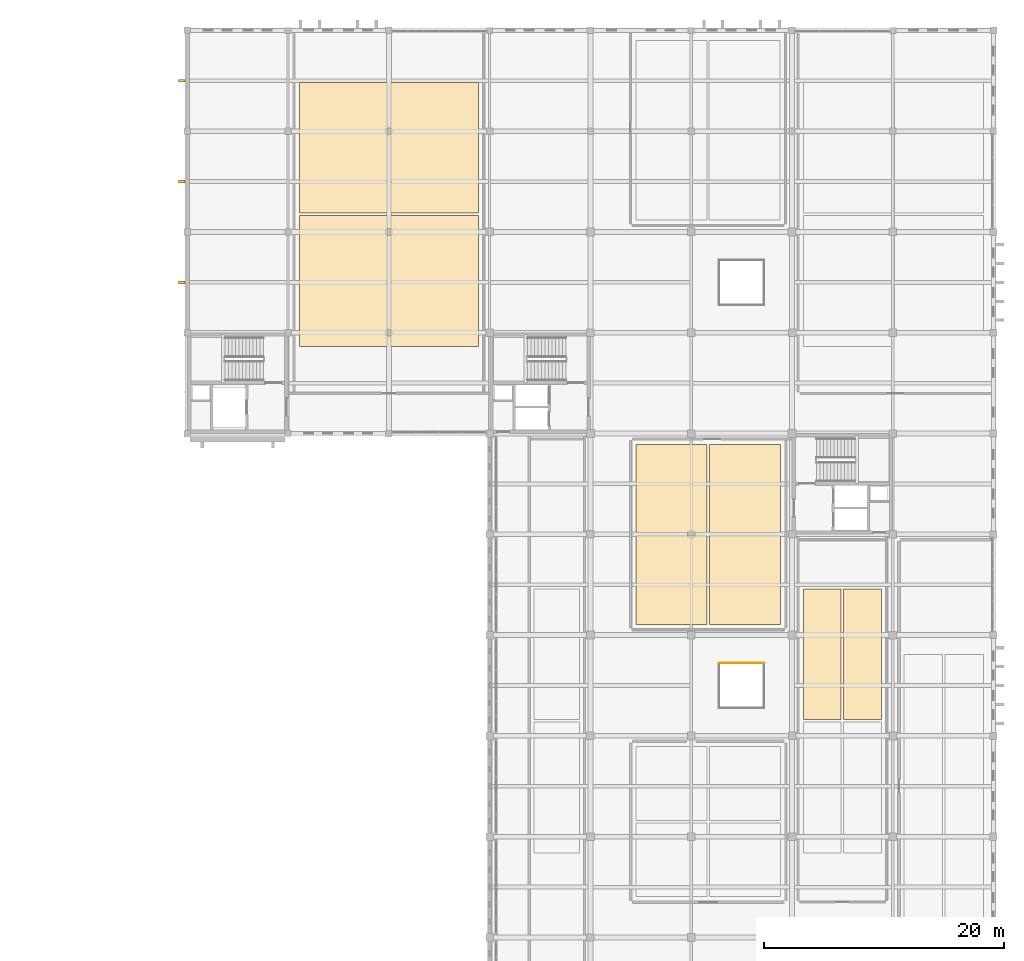
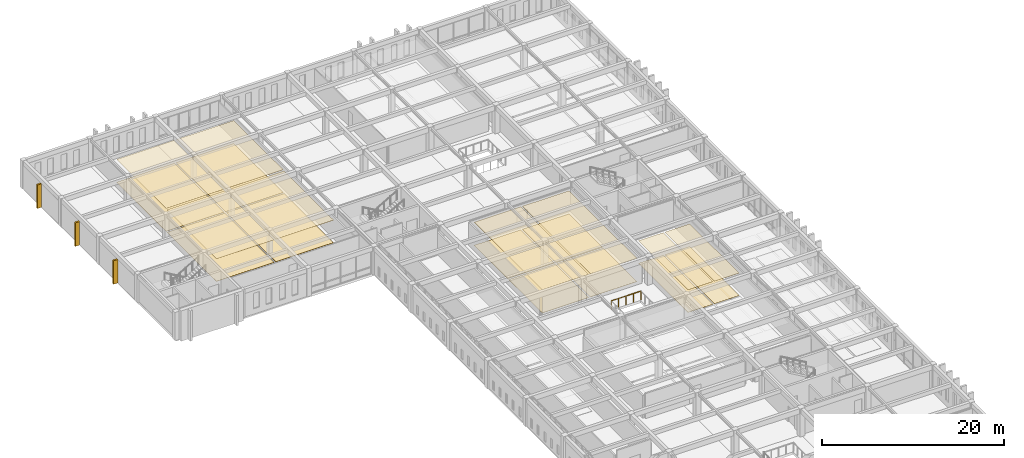
# One storey, part 46 of 47: 20 coverings, 3 shading devices, 1 railing.
"""IFC4 building model written with IfcOpenShell, lengths in metres."""

import ifcopenshell
import ifcopenshell.guid

model = None  # the IFC model being written
_history = None  # IfcOwnerHistory: only IFC2X3 demands one
_inside = {}  # id of a spatial element -> (the spatial element, [elements in it])
_under = {}  # id of a project, library or spatial element -> (it, [spatial elements below it])
_declared = {}  # id of a project -> (the project, [libraries it declares])
_typed = {}  # id of a type object -> (the type object, [elements of that type])
_made_of = {}  # id of a material, layer set ... -> (it, [elements and type objects made of it])


def new_model(schema):
    """Start an empty IFC model of exactly this schema.

    Asked for "IFC4X3", IfcOpenShell would pick the latest addendum, in which some entities
    have other attributes; the version numbers below select the first issue.
    IFC2X3 requires an IfcOwnerHistory on every rooted entity: one is made here for all.
    """
    global model, _history
    if schema == "IFC4X3":
        model = ifcopenshell.file(schema_version=(4, 3, 0, 0))
    else:
        model = ifcopenshell.file(schema=schema)
    _inside.clear()
    _under.clear()
    _declared.clear()
    _typed.clear()
    _made_of.clear()
    _history = None
    if model.schema == "IFC2X3":
        org = make("IfcOrganization", Name="unknown")
        user = make(
            "IfcPersonAndOrganization",
            ThePerson=make("IfcPerson", FamilyName="unknown"),
            TheOrganization=org,
        )
        app = make(
            "IfcApplication",
            ApplicationDeveloper=org,
            Version="unknown",
            ApplicationFullName="unknown",
            ApplicationIdentifier="unknown",
        )
        _history = make(
            "IfcOwnerHistory",
            OwningUser=user,
            OwningApplication=app,
            ChangeAction="ADDED",
            CreationDate=0,
        )
    return model


def make(cls, **values):
    """One entity of the class cls with the attributes given. An attribute that is None is left unset."""
    return model.create_entity(
        cls, **{name: value for name, value in values.items() if value is not None}
    )


def rooted(cls, **values):
    """An entity with a GlobalId (a new one), such as an element, a storey or a relation."""
    return make(cls, GlobalId=ifcopenshell.guid.new(), OwnerHistory=_history, **values)


def si_unit(unit_type, name, prefix=None):
    """IfcSIUnit, for example si_unit("LENGTHUNIT", "METRE", prefix="MILLI")."""
    return make("IfcSIUnit", UnitType=unit_type, Prefix=prefix, Name=name)


def assignment(units):
    """IfcUnitAssignment: the units of a project."""
    return None if units is None else make("IfcUnitAssignment", Units=units)


def point(xyz):
    """IfcCartesianPoint."""
    return None if xyz is None else make("IfcCartesianPoint", Coordinates=xyz)


def direction(xyz):
    """IfcDirection."""
    return None if xyz is None else make("IfcDirection", DirectionRatios=xyz)


def frame(location, z_axis=None, x_axis=None):
    """IfcAxis2Placement3D, a coordinate frame: its origin and axes. An axis left out is left unset."""
    return make(
        "IfcAxis2Placement3D",
        Location=point(location),
        Axis=direction(z_axis),
        RefDirection=direction(x_axis),
    )


def frame_2d(location, x_axis=None):
    """IfcAxis2Placement2D, a coordinate frame in the plane: its origin and x axis."""
    return make(
        "IfcAxis2Placement2D", Location=point(location), RefDirection=direction(x_axis)
    )


def origin():
    """The frame at (0, 0, 0) with its axes left unset."""
    return frame((0.0, 0.0, 0.0))


def origin_2d():
    """The frame at (0, 0) in the plane with its x axis left unset."""
    return frame_2d((0.0, 0.0))


def place(relative_to, where):
    """IfcLocalPlacement: puts the frame where relative to a parent placement (None: the world)."""
    return make(
        "IfcLocalPlacement", PlacementRelTo=relative_to, RelativePlacement=where
    )


def context(
    kind, dimensions, precision=None, world=None, true_north=None, identifier=None
):
    """IfcGeometricRepresentationContext, for example the 3D "Model" context."""
    return make(
        "IfcGeometricRepresentationContext",
        ContextIdentifier=identifier,
        ContextType=kind,
        CoordinateSpaceDimension=dimensions,
        Precision=precision,
        WorldCoordinateSystem=world,
        TrueNorth=true_north,
    )


def subcontext(parent, identifier, kind, view, scale=None):
    """IfcGeometricRepresentationSubContext, for example "Body" below "Model"."""
    return make(
        "IfcGeometricRepresentationSubContext",
        ContextIdentifier=identifier,
        ContextType=kind,
        ParentContext=parent,
        TargetScale=scale,
        TargetView=view,
    )


def project(units=None, contexts=None):
    """IfcProject with its units and contexts."""
    return rooted(
        "IfcProject",
        Name="project",
        RepresentationContexts=contexts,
        UnitsInContext=assignment(units),
    )


def spatial(cls, under=None, at=None, **own):
    """A site, building, storey or space (cls), placed at a placement, below another one or the project."""
    s = rooted(cls, ObjectPlacement=at, **own)
    if under is not None:
        _under.setdefault(under.id(), (under, []))[1].append(s)
    return s


def profile(cls, at=None, kind="AREA", **sizes):
    """A parametric profile (cls). Its sizes go by their IFC names, for example OverallWidth=200.0."""
    return make(cls, ProfileType=kind, Position=at, **sizes)


def rectangle(**sizes):
    """IfcRectangleProfileDef."""
    return profile("IfcRectangleProfileDef", **sizes)


def circle(**sizes):
    """IfcCircleProfileDef."""
    return profile("IfcCircleProfileDef", **sizes)


def extrude(swept, where, along, depth):
    """IfcExtrudedAreaSolid: the profile swept, set in the frame where, extruded along a direction by depth."""
    return make(
        "IfcExtrudedAreaSolid",
        SweptArea=swept,
        Position=where,
        ExtrudedDirection=direction(along),
        Depth=depth,
    )


def shape(context_of_items, identifier, shape_type, items):
    """IfcShapeRepresentation: the items that make up one representation, for example the "Body"."""
    return make(
        "IfcShapeRepresentation",
        ContextOfItems=context_of_items,
        RepresentationIdentifier=identifier,
        RepresentationType=shape_type,
        Items=items,
    )


def material(Name=None, Category=None):
    """IfcMaterial."""
    return make("IfcMaterial", Name=Name, Category=Category)


def layer(
    of_material, thickness, ventilated=None, Name=None, Category=None, Priority=None
):
    """IfcMaterialLayer: one layer of a wall or slab, of a material (None: an air gap)."""
    return make(
        "IfcMaterialLayer",
        Material=of_material,
        LayerThickness=thickness,
        IsVentilated=ventilated,
        Name=Name,
        Category=Category,
        Priority=Priority,
    )


def layer_set(layers, Name=None):
    """IfcMaterialLayerSet."""
    return make("IfcMaterialLayerSet", MaterialLayers=layers, LayerSetName=Name)


def made_of(thing, what):
    """Note that an element or type object is made of a material, layer set ...; save() writes the relation."""
    if what is not None:
        _made_of.setdefault(what.id(), (what, []))[1].append(thing)
    return thing


def type_object(cls, material=None, **own):
    """A type object (cls), such as IfcWallType, which elements share."""
    return made_of(rooted(cls, **own), material)


def element(
    cls,
    number,
    at=None,
    inside=None,
    cuts=None,
    type_object=None,
    material=None,
    context=None,
    identifier="Body",
    shape_type=None,
    held_by="IfcProductDefinitionShape",
    body=None,
    shapes=None,
    **own,
):
    """One element of the class cls, such as IfcWall. Its Tag is "e" and its number.

    at: its placement. inside: the storey or other place that contains it. cuts: it is an
    opening in that element (IfcRelVoidsElement). A single representation is given by context,
    identifier, shape_type and body (its items); several are given by shapes. held_by: the class
    of the entity that holds the representations. save() writes the other relations.
    """
    e = rooted(cls, Tag="e%d" % number, ObjectPlacement=at, **own)
    if body is not None:
        shapes = [shape(context, identifier, shape_type, body)]
    if shapes is not None:
        e.Representation = make(held_by, Representations=shapes)
    if inside is not None:
        _inside.setdefault(inside.id(), (inside, []))[1].append(e)
    if cuts is not None:
        rooted(
            "IfcRelVoidsElement", RelatingBuildingElement=cuts, RelatedOpeningElement=e
        )
    if type_object is not None:
        _typed.setdefault(type_object.id(), (type_object, []))[1].append(e)
    return made_of(e, material)


def aggregate(whole, parts):
    """IfcRelAggregates: a whole, such as a stair, and the parts it consists of."""
    return rooted("IfcRelAggregates", RelatingObject=whole, RelatedObjects=parts)


def save(model, path):
    """Write the relations noted so far, then the file.

    IfcRelAggregates (storeys below a building ...), IfcRelContainedInSpatialStructure (elements
    in a storey), IfcRelDefinesByType, IfcRelAssociatesMaterial and IfcRelDeclares: one each for
    every whole, place, type object, material and project.
    """
    for whole, parts in _under.values():
        aggregate(whole, parts)
    for where, things in _inside.values():
        rooted(
            "IfcRelContainedInSpatialStructure",
            RelatedElements=things,
            RelatingStructure=where,
        )
    for kind, things in _typed.values():
        rooted("IfcRelDefinesByType", RelatedObjects=things, RelatingType=kind)
    for what, things in _made_of.values():
        rooted("IfcRelAssociatesMaterial", RelatedObjects=things, RelatingMaterial=what)
    for by, libraries in _declared.values():
        rooted("IfcRelDeclares", RelatingContext=by, RelatedDefinitions=libraries)
    model.write(path)


model = new_model("IFC4")

# Units and contexts
model_context = context("Model", 3, precision=1e-05, world=origin(), true_north=direction((0.0, 1.0)))
body_context = subcontext(model_context, "Body", "Model", "MODEL_VIEW")
ifc_project = project(units=[si_unit("LENGTHUNIT", "METRE"), si_unit("AREAUNIT", "SQUARE_METRE"), si_unit("VOLUMEUNIT", "CUBIC_METRE"), si_unit("PLANEANGLEUNIT", "RADIAN"), si_unit("MASSUNIT", "GRAM", prefix="KILO")], contexts=[model_context])

# Site, building, storey
site_placement = place(None, origin())
site = spatial("IfcSite", under=ifc_project, at=site_placement, CompositionType="ELEMENT")
building_placement = place(site_placement, origin())
building = spatial("IfcBuilding", under=site, at=building_placement, Name="Kveldsbrygga Polytechnic", CompositionType="ELEMENT")
storey_placement = place(building_placement, frame((0.0, 0.0, 13.93994140625)))
storey = spatial("IfcBuildingStorey", under=building, at=storey_placement, Name="L03", CompositionType="ELEMENT", Elevation=13.93994140625)

# Coverings
ifc_material_1 = material(Name="Acoustic mineral baffle ceiling")
ifc_layer_1 = layer(ifc_material_1, 0.030029296875)
ifc_layer_set_1 = layer_set([ifc_layer_1], Name="Acoustic mineral baffle ceiling")
covering_type_1 = type_object("IfcCoveringType", Name="COV-CEIL-AC30", PredefinedType="CEILING", material=ifc_layer_set_1)
for number, where, z_axis, x_axis, name in (
    (1, (113.824951171875, 96.72509765625, 3.02001953125), (0.0, 0.0, 1.0), (1.0, 0.0, 0.0), "Acoustic Ceiling SP-L03-SEM31-WS"),
    (2, (113.824951171875, 107.824951171875, 3.06982421875), (0.0, 0.0, 1.0), (1.0, 0.0, 0.0), "Acoustic Ceiling SP-L03-SEM31-WN"),
    (3, (121.375, 96.72509765625, 3.02001953125), (0.0, 0.0, 1.0), (1.0, 0.0, 0.0), "Acoustic Ceiling SP-L03-SEM31-ES"),
    (4, (121.375, 107.824951171875, 3.06982421875), (0.0, 0.0, 1.0), (1.0, 0.0, 0.0), "Acoustic Ceiling SP-L03-SEM31-EN"),
):
    element("IfcCovering", number, at=place(storey_placement, frame(where, z_axis=z_axis, x_axis=x_axis)), inside=storey, type_object=covering_type_1, Name=name, PredefinedType="CEILING", context=body_context, shape_type="SweptSolid", body=[
        extrude(rectangle(XDim=7.35009765625, YDim=10.89990234375, at=origin_2d()), origin(), (0.0, 0.0, 1.0), 0.030029296875),
    ])
for number, where, z_axis, x_axis, name in (
    (5, (141.16259765625, 71.800048828125, 3.10009765625), (0.0, 0.0, 1.0), (1.0, 0.0, 0.0), "Acoustic Ceiling SP-L03-STD32-WS"),
    (6, (141.16259765625, 79.39990234375, 3.10009765625), (0.0, 0.0, 1.0), (1.0, 0.0, 0.0), "Acoustic Ceiling SP-L03-STD32-WN"),
    (7, (147.28759765625, 71.800048828125, 3.10009765625), (0.0, 0.0, 1.0), (1.0, 0.0, 0.0), "Acoustic Ceiling SP-L03-STD32-ES"),
    (8, (147.28759765625, 79.39990234375, 3.10009765625), (0.0, 0.0, 1.0), (1.0, 0.0, 0.0), "Acoustic Ceiling SP-L03-STD32-EN"),
):
    element("IfcCovering", number, at=place(storey_placement, frame(where, z_axis=z_axis, x_axis=x_axis)), inside=storey, type_object=covering_type_1, Name=name, PredefinedType="CEILING", context=body_context, shape_type="SweptSolid", body=[
        extrude(rectangle(XDim=5.925048828125, YDim=7.39990234375, at=origin_2d()), origin(), (0.0, 0.0, 1.0), 0.030029296875),
    ])
for number, where, z_axis, x_axis, name in (
    (9, (153.72509765625, 65.60009765625, 3.02001953125), (0.0, 0.0, 1.0), (1.0, 0.0, 0.0), "Acoustic Ceiling SP-L03-OFF31-WN"),
    (10, (157.074951171875, 65.60009765625, 3.02001953125), (0.0, 0.0, 1.0), (1.0, 0.0, 0.0), "Acoustic Ceiling SP-L03-OFF31-EN"),
):
    element("IfcCovering", number, at=place(storey_placement, frame(where, z_axis=z_axis, x_axis=x_axis)), inside=storey, type_object=covering_type_1, Name=name, PredefinedType="CEILING", context=body_context, shape_type="SweptSolid", body=[
        extrude(rectangle(XDim=3.14990234375, YDim=10.89990234375, at=origin_2d()), origin(), (0.0, 0.0, 1.0), 0.030029296875),
    ])
ifc_material_2 = material(Name="Acoustic oak timber flooring", Category="wood")
ifc_layer_2 = layer(ifc_material_2, 0.02197265625)
ifc_layer_set_2 = layer_set([ifc_layer_2], Name="Acoustic oak timber flooring")
covering_type_2 = type_object("IfcCoveringType", Name="COV-FLR-OAK22", PredefinedType="FLOORING", material=ifc_layer_set_2)
for number, where, z_axis, x_axis, name in (
    (11, (113.824951171875, 96.72509765625, 0.0), (0.0, 0.0, 1.0), (1.0, 0.0, 0.0), "Room Flooring SP-L03-SEM31-WS"),
    (12, (113.824951171875, 107.824951171875, 0.0), (0.0, 0.0, 1.0), (1.0, 0.0, 0.0), "Room Flooring SP-L03-SEM31-WN"),
    (13, (121.375, 96.72509765625, 0.0), (0.0, 0.0, 1.0), (1.0, 0.0, 0.0), "Room Flooring SP-L03-SEM31-ES"),
    (14, (121.375, 107.824951171875, 0.0), (0.0, 0.0, 1.0), (1.0, 0.0, 0.0), "Room Flooring SP-L03-SEM31-EN"),
):
    element("IfcCovering", number, at=place(storey_placement, frame(where, z_axis=z_axis, x_axis=x_axis)), inside=storey, type_object=covering_type_2, Name=name, PredefinedType="FLOORING", context=body_context, shape_type="SweptSolid", body=[
        extrude(rectangle(XDim=7.35009765625, YDim=10.89990234375, at=origin_2d()), origin(), (0.0, 0.0, 1.0), 0.02197265625),
    ])
for number, where, z_axis, x_axis, name in (
    (15, (141.16259765625, 71.800048828125, 0.0), (0.0, 0.0, 1.0), (1.0, 0.0, 0.0), "Room Flooring SP-L03-STD32-WS"),
    (16, (141.16259765625, 79.39990234375, 0.0), (0.0, 0.0, 1.0), (1.0, 0.0, 0.0), "Room Flooring SP-L03-STD32-WN"),
    (17, (147.28759765625, 71.800048828125, 0.0), (0.0, 0.0, 1.0), (1.0, 0.0, 0.0), "Room Flooring SP-L03-STD32-ES"),
    (18, (147.28759765625, 79.39990234375, 0.0), (0.0, 0.0, 1.0), (1.0, 0.0, 0.0), "Room Flooring SP-L03-STD32-EN"),
):
    element("IfcCovering", number, at=place(storey_placement, frame(where, z_axis=z_axis, x_axis=x_axis)), inside=storey, type_object=covering_type_2, Name=name, PredefinedType="FLOORING", context=body_context, shape_type="SweptSolid", body=[
        extrude(rectangle(XDim=5.925048828125, YDim=7.39990234375, at=origin_2d()), origin(), (0.0, 0.0, 1.0), 0.02197265625),
    ])
for number, where, z_axis, x_axis, name in (
    (19, (153.72509765625, 65.60009765625, 0.0), (0.0, 0.0, 1.0), (1.0, 0.0, 0.0), "Room Flooring SP-L03-OFF31-WN"),
    (20, (157.074951171875, 65.60009765625, 0.0), (0.0, 0.0, 1.0), (1.0, 0.0, 0.0), "Room Flooring SP-L03-OFF31-EN"),
):
    element("IfcCovering", number, at=place(storey_placement, frame(where, z_axis=z_axis, x_axis=x_axis)), inside=storey, type_object=covering_type_2, Name=name, PredefinedType="FLOORING", context=body_context, shape_type="SweptSolid", body=[
        extrude(rectangle(XDim=3.14990234375, YDim=10.89990234375, at=origin_2d()), origin(), (0.0, 0.0, 1.0), 0.02197265625),
    ])

# Shading devices
ifc_material_3 = material(Name="Fired clay brick masonry M10", Category="masonry")
shading_device_type = type_object("IfcShadingDeviceType", Name="FIN-BRICK-550", PredefinedType="JALOUSIE", material=ifc_material_3)
for number, where, z_axis, x_axis, name in (
    (21, (100.34912109375, 96.592529296875, 0.0), (0.0, 0.0, 1.0), (0.0, 1.0, 0.0), "Brick Shading Fin L03-Y-12-11"),
    (22, (100.34912109375, 105.007568359375, 0.0), (0.0, 0.0, 1.0), (0.0, 1.0, 0.0), "Brick Shading Fin L03-Y-12-12"),
    (23, (100.34912109375, 113.392578125, 0.0), (0.0, 0.0, 1.0), (0.0, 1.0, 0.0), "Brick Shading Fin L03-Y-12-13"),
):
    element("IfcShadingDevice", number, at=place(storey_placement, frame(where, z_axis=z_axis, x_axis=x_axis)), inside=storey, type_object=shading_device_type, Name=name, PredefinedType="JALOUSIE", context=body_context, shape_type="SweptSolid", body=[
        extrude(rectangle(XDim=0.219970703125, YDim=0.550048828125, at=origin_2d()), origin(), (0.0, 0.0, 1.0), 3.14990234375),
    ])

# Railing
ifc_material_4 = material(Name="Steel S355", Category="steel")
railing_type = type_object("IfcRailingType", Name="RL-VOID-GRD", PredefinedType="GUARDRAIL", material=ifc_material_4)
railing_placement = place(storey_placement, frame((148.8798828125, 64.8798828125, 0.0)))
element("IfcRailing", 24, at=railing_placement, inside=storey, type_object=railing_type, Name="Atrium Well Guard GRD-L03-WELL-7-N", PredefinedType="GUARDRAIL", context=body_context, shape_type="SweptSolid", body=[
    extrude(circle(Radius=0.02392578125, at=origin_2d()), frame((0.0, 0.0, 1.17578125), z_axis=(-1.0, 0.0, 0.0), x_axis=(0.0, -1.0, 0.0)), (0.0, 0.0, 1.0), 3.759765625),
    extrude(circle(Radius=0.02099609375, at=origin_2d()), origin(), (0.0, 0.0, 1.0), 1.14794921875),
    extrude(circle(Radius=0.02099609375, at=origin_2d()), frame((-0.93994140625, 0.0, 0.0)), (0.0, 0.0, 1.0), 1.14794921875),
    extrude(circle(Radius=0.02099609375, at=origin_2d()), frame((-1.8798828125, 0.0, 0.0)), (0.0, 0.0, 1.0), 1.14794921875),
    extrude(circle(Radius=0.02099609375, at=origin_2d()), frame((-2.81982421875, 0.0, 0.0)), (0.0, 0.0, 1.0), 1.14794921875),
    extrude(circle(Radius=0.02099609375, at=origin_2d()), frame((-3.759765625, 0.0, 0.0)), (0.0, 0.0, 1.0), 1.14794921875),
])

save(model, "model.ifc")
